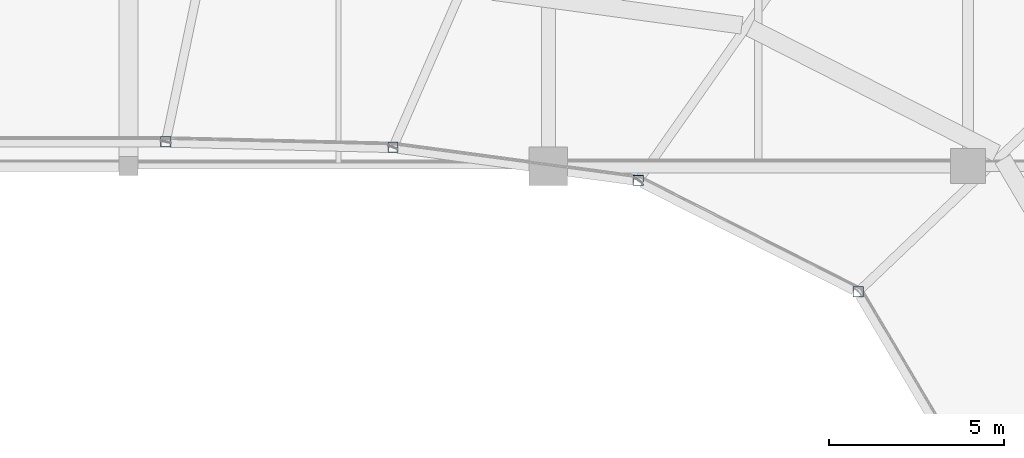
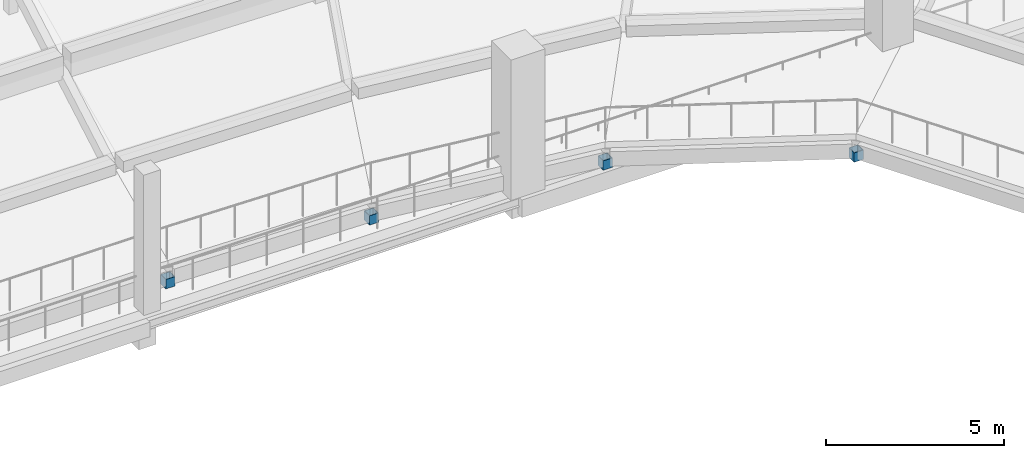
# One storey, part 19 of 77: 4 columns.
"""IFC4 building model written with IfcOpenShell, lengths in metres."""

from ifc_helpers import new_model, si_unit, direction, frame, origin, origin_2d, place, context, subcontext, project, spatial, hollow_rectangle, extrude, material, material_profile, profile_set, type_object, element, save


model = new_model("IFC4")

# Units and contexts
model_context = context("Model", 3, precision=1e-05, world=origin(), true_north=direction((0.0, 1.0)))
body_context = subcontext(model_context, "Body", "Model", "MODEL_VIEW")
ifc_project = project(units=[si_unit("LENGTHUNIT", "METRE"), si_unit("AREAUNIT", "SQUARE_METRE"), si_unit("VOLUMEUNIT", "CUBIC_METRE"), si_unit("PLANEANGLEUNIT", "RADIAN"), si_unit("MASSUNIT", "GRAM", prefix="KILO")], contexts=[model_context])

# Site, building, storey
site_placement = place(None, origin())
site = spatial("IfcSite", under=ifc_project, at=site_placement, CompositionType="ELEMENT")
building_placement = place(site_placement, origin())
building = spatial("IfcBuilding", under=site, at=building_placement, Name="Luwafu Chhajja Arena", CompositionType="ELEMENT")
storey_placement = place(building_placement, frame((0.0, 0.0, 14.699951171875)))
storey = spatial("IfcBuildingStorey", under=building, at=storey_placement, Name="L03", CompositionType="ELEMENT", Elevation=14.699951171875)

# Columns
ifc_material = material(Name="Steel S355", Category="steel")
ifc_material_profile = material_profile(ifc_material, hollow_rectangle(XDim=0.300048828125, YDim=0.300048828125, WallThickness=0.01611328125, at=origin_2d()), Name="SHS 300x300x16")
ifc_profile_set = profile_set([ifc_material_profile], Name="Steel S355")
column_type = type_object("IfcColumnType", Name="Steel Gallery Post SHS 300", PredefinedType="COLUMN", material=ifc_profile_set)
for number, where, z_axis, x_axis, name in (
    (1, (124.85986328125, 73.409912109375, 0.0), (0.0, 0.0, 1.0), (1.0, 0.0, 0.0), "L03 Upper Raker Front Post 05"),
    (2, (118.57666015625, 76.589111328125, 0.0), (0.0, 0.0, 1.0), (1.0, 0.0, 0.0), "L03 Upper Raker Front Post 06"),
    (3, (111.560302734375, 77.536865234375, 0.0), (0.0, 0.0, 1.0), (1.0, 0.0, 0.0), "L03 Upper Raker Front Post 07"),
    (4, (105.065185546875, 77.6923828125, 0.0), (0.0, 0.0, 1.0), (1.0, 0.0, 0.0), "L03 Upper Raker Front Post 08"),
):
    element("IfcColumn", number, at=place(storey_placement, frame(where, z_axis=z_axis, x_axis=x_axis)), inside=storey, type_object=column_type, Name=name, PredefinedType="COLUMN", context=body_context, shape_type="SweptSolid", body=[
        extrude(hollow_rectangle(XDim=0.300048828125, YDim=0.300048828125, WallThickness=0.01611328125, at=origin_2d()), origin(), (0.0, 0.0, 1.0), 0.320068359375),
    ])

save(model, "model.ifc")
